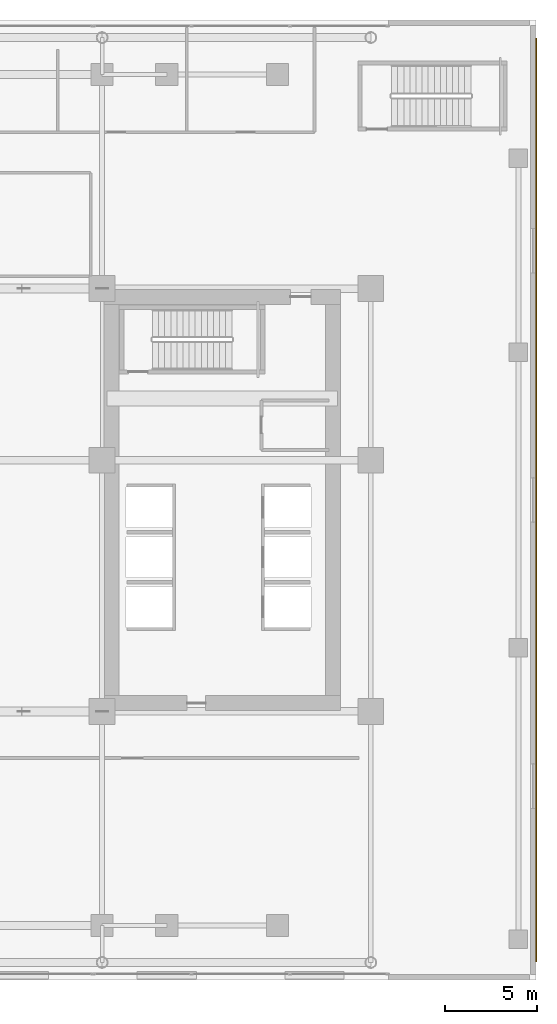
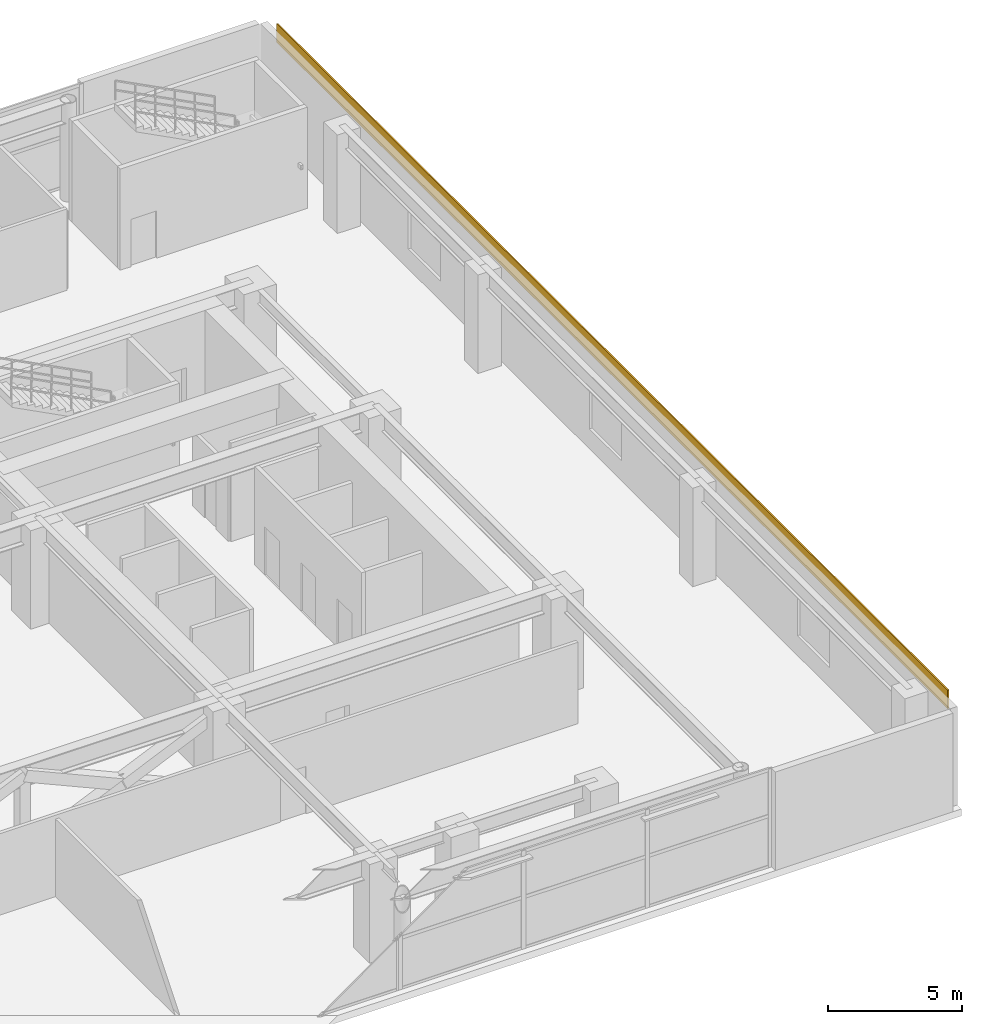
# One storey, part 28 of 28: 1 covering.
"""IFC4 building model written with IfcOpenShell, lengths in metres."""

from ifc_helpers import new_model, si_unit, direction, frame, origin, origin_2d, place, context, subcontext, project, spatial, rectangle, extrude, source, transform, mapped, material, layer, layer_set, type_object, element, save


model = new_model("IFC4")

# Units and contexts
model_context = context("Model", 3, precision=1e-05, world=origin(), true_north=direction((0.0, 1.0)))
body_context = subcontext(model_context, "Body", "Model", "MODEL_VIEW")
ifc_project = project(units=[si_unit("LENGTHUNIT", "METRE"), si_unit("AREAUNIT", "SQUARE_METRE"), si_unit("VOLUMEUNIT", "CUBIC_METRE"), si_unit("PLANEANGLEUNIT", "RADIAN"), si_unit("MASSUNIT", "GRAM", prefix="KILO")], contexts=[model_context])

# Site, building, storey
site_placement = place(None, origin())
site = spatial("IfcSite", under=ifc_project, at=site_placement, CompositionType="ELEMENT")
building_placement = place(site_placement, origin())
building = spatial("IfcBuilding", under=site, at=building_placement, Name="Ocotamira Hotel", CompositionType="ELEMENT")
storey_placement = place(building_placement, frame((0.0, 0.0, 24.0)))
storey = spatial("IfcBuildingStorey", under=building, at=storey_placement, Name="L05", CompositionType="ELEMENT", Elevation=24.0)

# Covering
ifc_material = material(Name="Pale-metal champagne aluminium rainscreen cladding", Category="aluminium")
ifc_layer = layer(ifc_material, 0.06005859375)
ifc_layer_set = layer_set([ifc_layer], Name="Pale-metal champagne aluminium rainscreen cladding")
covering_type = type_object("IfcCoveringType", Name="COV-CLAD-60", PredefinedType="CLADDING", material=ifc_layer_set)
shared_shape = source(origin(), body_context, "Body", "SweptSolid", [
    extrude(rectangle(XDim=0.06005859375, YDim=50.0, at=origin_2d()), origin(), (0.0, 0.0, 1.0), 0.85009765625),
])
covering_placement = place(storey_placement, frame((64.02001953125, 26.0, 3.949951171875), z_axis=(0.0, 0.0, 1.0), x_axis=(1.0, 0.0, 0.0)))
element("IfcCovering", 1, at=covering_placement, inside=storey, type_object=covering_type, Name="L05 East Spandrel Cladding", PredefinedType="CLADDING", context=body_context, shape_type="MappedRepresentation", body=[
    mapped(shared_shape, transform((0.0, 0.0, 0.0), scale=1.0)),
])

save(model, "model.ifc")
